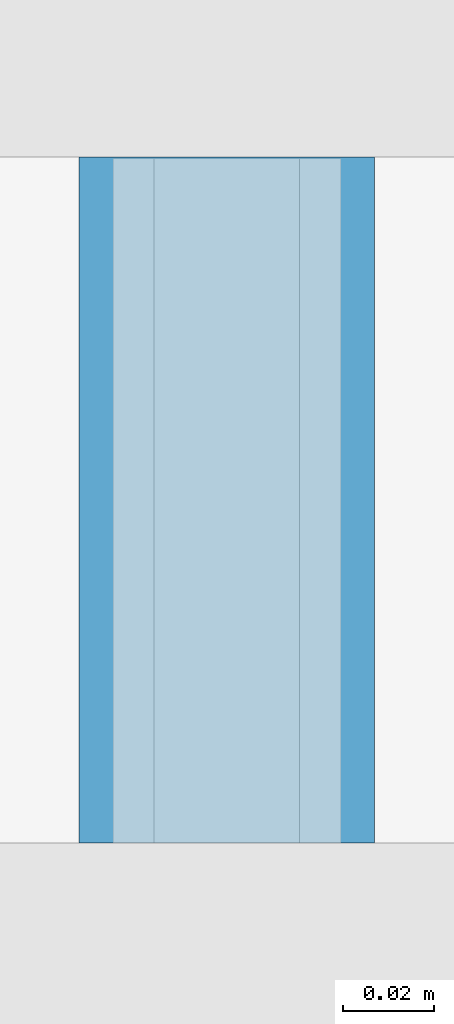
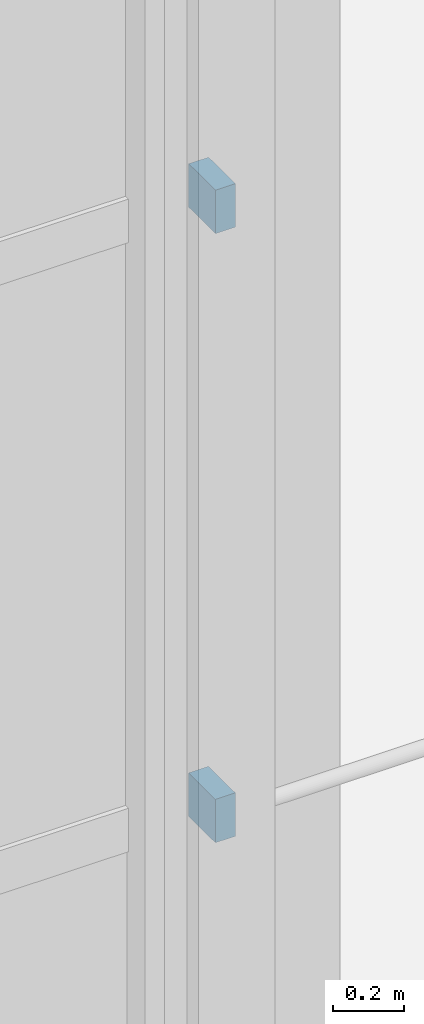
# One storey, part 6 of 17: 2 members, 1 element without a shape of its own.
"""IFC4 building model written with IfcOpenShell, lengths in metres."""

from ifc_helpers import new_model, si_unit, direction, frame, origin, origin_2d, place, context, subcontext, project, spatial, rectangle, extrude, material, material_profile, profile_set, type_object, element, aggregate, save


model = new_model("IFC4")

# Units and contexts
model_context = context("Model", 3, precision=1e-05, world=origin(), true_north=direction((0.0, 1.0)))
body_context = subcontext(model_context, "Body", "Model", "MODEL_VIEW")
ifc_project = project(units=[si_unit("LENGTHUNIT", "METRE"), si_unit("AREAUNIT", "SQUARE_METRE"), si_unit("VOLUMEUNIT", "CUBIC_METRE"), si_unit("PLANEANGLEUNIT", "RADIAN"), si_unit("MASSUNIT", "GRAM", prefix="KILO")], contexts=[model_context])

# Site, building, storey
site_placement = place(None, origin())
site = spatial("IfcSite", under=ifc_project, at=site_placement, CompositionType="ELEMENT")
building_placement = place(site_placement, origin())
building = spatial("IfcBuilding", under=site, at=building_placement, Name="Turquesa Mirador Hotel Tower", CompositionType="ELEMENT")
storey_placement = place(building_placement, frame((0.0, 0.0, 5.60009765625)))
storey = spatial("IfcBuildingStorey", under=building, at=storey_placement, Name="L01", CompositionType="ELEMENT", Elevation=5.60009765625)

# Curtain wall, members
ifc_material_1 = material(Name="Aluminium extrusion", Category="aluminium")
curtain_wall_type = type_object("IfcCurtainWallType", Name="CW-2 PODIUM CURTAIN WALL", PredefinedType="USERDEFINED", material=ifc_material_1)
curtain_wall_placement = place(storey_placement, origin())
curtain_wall = element("IfcCurtainWall", 1, at=curtain_wall_placement, inside=storey, type_object=curtain_wall_type, Name="CW-2 PODIUM CURTAIN WALL L01", ObjectType="CURTAIN WALL", PredefinedType="USERDEFINED")
ifc_material_2 = material(Name="Aluminium extrusion", Category="aluminium")
ifc_material_profile = material_profile(ifc_material_2, rectangle(XDim=0.06494140625, YDim=0.14990234375, at=origin_2d()), Name="TRANSOM 65X150")
ifc_profile_set = profile_set([ifc_material_profile], Name="Aluminium extrusion")
member_type = type_object("IfcMemberType", Name="CW TRANSOM 65X150", PredefinedType="USERDEFINED", material=ifc_profile_set)
member_1_placement = place(storey_placement, frame((82.85009765625, 19.032470703125, 1.099853515625), z_axis=(0.0, 1.0, 0.0), x_axis=(-1.0, 0.0, 0.0)))
member_1 = element("IfcMember", 2, at=member_1_placement, type_object=member_type, Name="Transom", ObjectType="TRANSOM", PredefinedType="USERDEFINED", context=body_context, shape_type="SweptSolid", body=[
    extrude(rectangle(XDim=0.06494140625, YDim=0.14990234375, at=origin_2d()), origin(), (0.0, 0.0, 1.0), 0.150634765625),
])
member_2_placement = place(storey_placement, frame((82.85009765625, 19.032470703125, 3.199951171875), z_axis=(0.0, 1.0, 0.0), x_axis=(-1.0, 0.0, 0.0)))
member_2 = element("IfcMember", 3, at=member_2_placement, type_object=member_type, Name="Transom", ObjectType="TRANSOM", PredefinedType="USERDEFINED", context=body_context, shape_type="SweptSolid", body=[
    extrude(rectangle(XDim=0.06494140625, YDim=0.14990234375, at=origin_2d()), origin(), (0.0, 0.0, 1.0), 0.150634765625),
])
aggregate(curtain_wall, [member_1, member_2])

save(model, "model.ifc")
